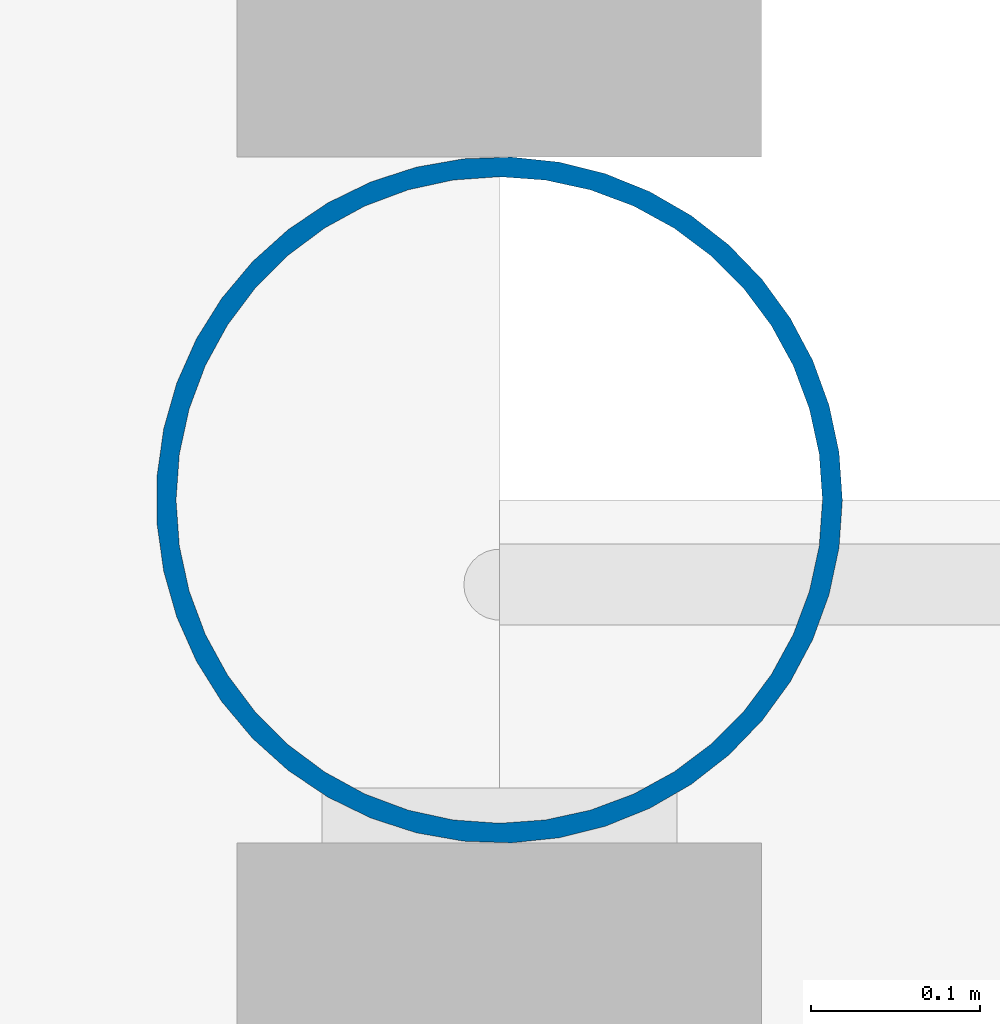
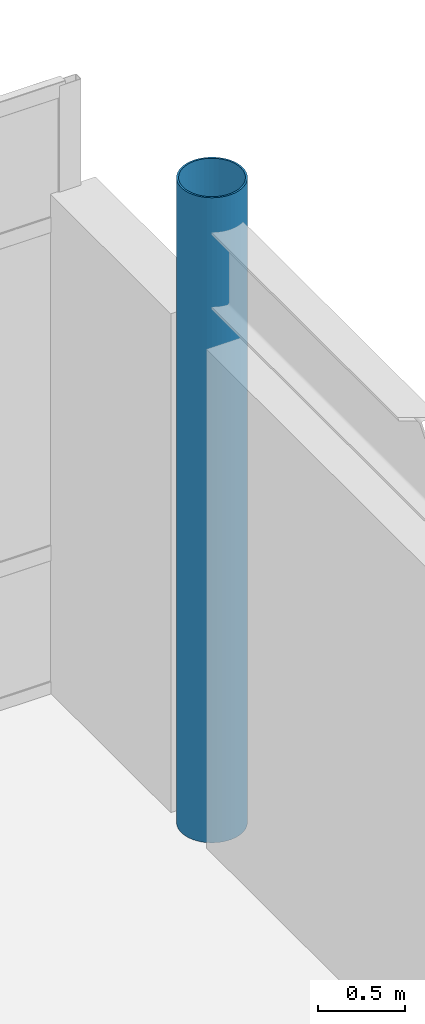
# One storey, part 7 of 93: 1 column.
"""IFC4 building model written with IfcOpenShell, lengths in metres."""

from ifc_helpers import new_model, si_unit, direction, frame, origin, origin_2d, place, context, subcontext, project, spatial, hollow_circle, extrude, material, material_profile, profile_set, type_object, element, save


model = new_model("IFC4")

# Units and contexts
model_context = context("Model", 3, precision=1e-05, world=origin(), true_north=direction((0.0, 1.0)))
body_context = subcontext(model_context, "Body", "Model", "MODEL_VIEW")
ifc_project = project(units=[si_unit("LENGTHUNIT", "METRE"), si_unit("AREAUNIT", "SQUARE_METRE"), si_unit("VOLUMEUNIT", "CUBIC_METRE"), si_unit("PLANEANGLEUNIT", "RADIAN"), si_unit("MASSUNIT", "GRAM", prefix="KILO")], contexts=[model_context])

# Site, building, storey
site_placement = place(None, origin())
site = spatial("IfcSite", under=ifc_project, at=site_placement, CompositionType="ELEMENT")
building_placement = place(site_placement, origin())
building = spatial("IfcBuilding", under=site, at=building_placement, Name="Solmirada Galleria", CompositionType="ELEMENT")
storey_placement = place(building_placement, frame((0.0, 0.0, 14.89990234375)))
storey = spatial("IfcBuildingStorey", under=building, at=storey_placement, Name="L03", CompositionType="ELEMENT", Elevation=14.89990234375)

# Column
ifc_material = material(Name="Steel S355 / ASTM A500 Grade C", Category="steel")
ifc_material_profile = material_profile(ifc_material, hollow_circle(Radius=0.202880859375, WallThickness=0.01171875, at=origin_2d()), Name="HSS16.000X0.500")
ifc_profile_set = profile_set([ifc_material_profile], Name="Steel S355 / ASTM A500 Grade C")
column_type = type_object("IfcColumnType", Name="COL-CHS16", PredefinedType="COLUMN", material=ifc_profile_set)
column_placement = place(storey_placement, frame((144.0, 32.0, 0.0), z_axis=(0.0, 0.0, 1.0), x_axis=(1.0, 0.0, 0.0)))
element("IfcColumn", 1, at=column_placement, inside=storey, type_object=column_type, Name="Structural column L03-1229", PredefinedType="COLUMN", context=body_context, shape_type="SweptSolid", body=[
    extrude(hollow_circle(Radius=0.202880859375, WallThickness=0.01171875, at=origin_2d()), origin(), (0.0, 0.0, 1.0), 4.5),
])

save(model, "model.ifc")
